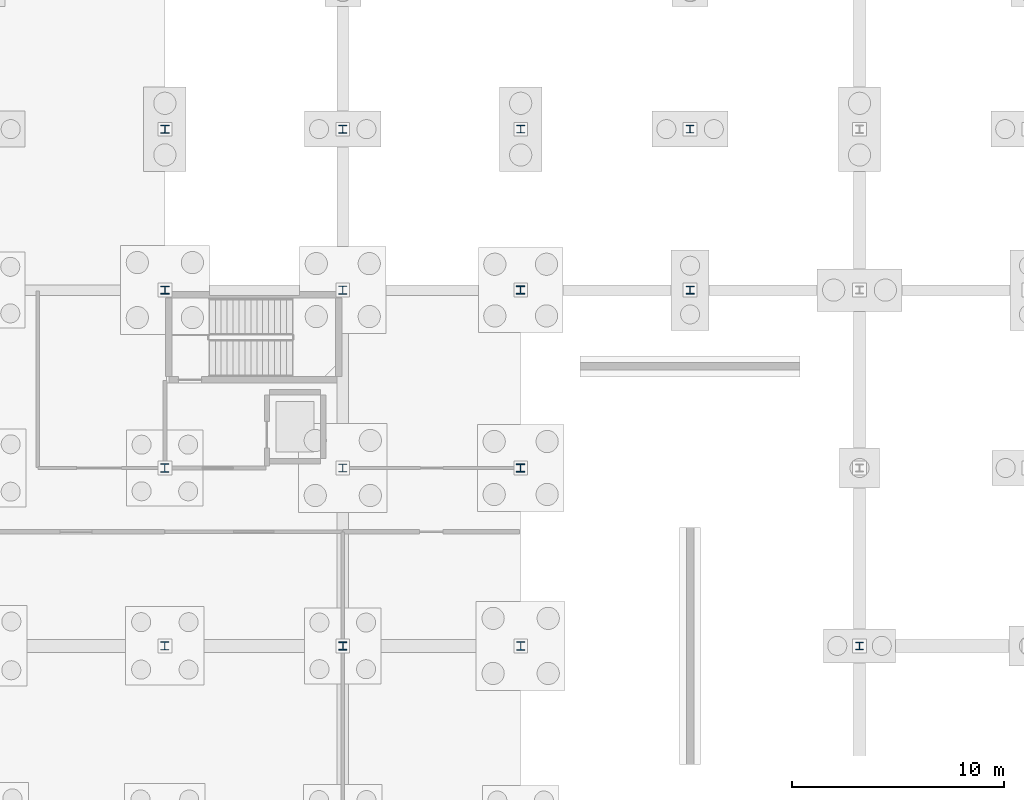
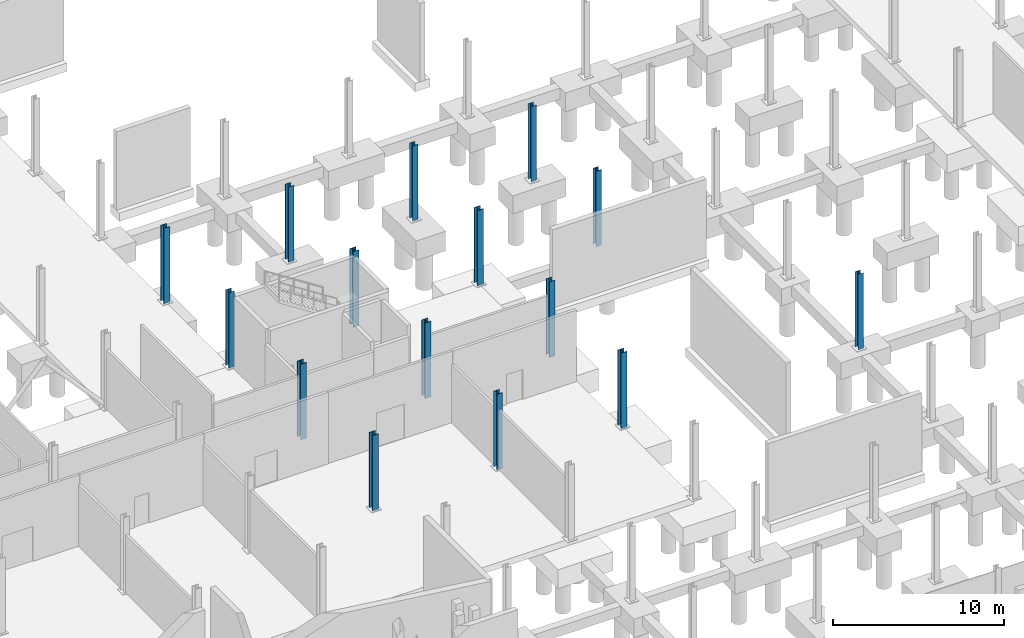
# One storey, part 20 of 61: 15 columns.
"""IFC4 building model written with IfcOpenShell, lengths in metres."""

from ifc_helpers import new_model, si_unit, direction, frame, origin, origin_2d, place, context, subcontext, project, spatial, i_section, extrude, material, material_profile, profile_set, type_object, element, save


model = new_model("IFC4")

# Units and contexts
model_context = context("Model", 3, precision=1e-05, world=origin(), true_north=direction((0.0, 1.0)))
body_context = subcontext(model_context, "Body", "Model", "MODEL_VIEW")
ifc_project = project(units=[si_unit("LENGTHUNIT", "METRE"), si_unit("AREAUNIT", "SQUARE_METRE"), si_unit("VOLUMEUNIT", "CUBIC_METRE"), si_unit("PLANEANGLEUNIT", "RADIAN"), si_unit("MASSUNIT", "GRAM", prefix="KILO")], contexts=[model_context])

# Site, building, storey
site_placement = place(None, origin())
site = spatial("IfcSite", under=ifc_project, at=site_placement, CompositionType="ELEMENT")
building_placement = place(site_placement, origin())
building = spatial("IfcBuilding", under=site, at=building_placement, Name="Calvrana Isthmian Art Gallery", CompositionType="ELEMENT")
storey_placement = place(building_placement, frame((0.0, 0.0, -5.39990234375)))
storey = spatial("IfcBuildingStorey", under=building, at=storey_placement, Name="B1", CompositionType="ELEMENT", Elevation=-5.39990234375)

# Columns
ifc_material = material(Name="Steel ASTM A992 Gr 50", Category="steel")
ifc_material_profile_1 = material_profile(ifc_material, i_section(OverallWidth=0.37109375, OverallDepth=0.363037109375, WebThickness=0.01318359375, FlangeThickness=0.021728515625, FilletRadius=0.02490234375, at=origin_2d()), Name="W14X109")
ifc_profile_set_1 = profile_set([ifc_material_profile_1], Name="Steel ASTM A992 Gr 50")
column_type_1 = type_object("IfcColumnType", Name="COL-STL-W14X109", PredefinedType="COLUMN", material=ifc_profile_set_1)
column_1_placement = place(storey_placement, frame((80.39990234375, 54.39990234375, 0.0), z_axis=(0.0, 0.0, 1.0), x_axis=(1.0, 0.0, 0.0)))
element("IfcColumn", 1, at=column_1_placement, inside=storey, type_object=column_type_1, Name="Column 11/H B1", PredefinedType="COLUMN", context=body_context, shape_type="SweptSolid", body=[
    extrude(i_section(OverallWidth=0.37109375, OverallDepth=0.363037109375, WebThickness=0.01318359375, FlangeThickness=0.021728515625, FilletRadius=0.02490234375, at=origin_2d()), origin(), (0.0, 0.0, 1.0), 5.39990234375),
])
ifc_material_profile_2 = material_profile(ifc_material, i_section(OverallWidth=0.373046875, OverallDepth=0.367919921875, WebThickness=0.014892578125, FlangeThickness=0.02392578125, FilletRadius=0.02490234375, at=origin_2d()), Name="W14X120")
ifc_profile_set_2 = profile_set([ifc_material_profile_2], Name="Steel ASTM A992 Gr 50")
column_type_2 = type_object("IfcColumnType", Name="COL-STL-W14X120", PredefinedType="COLUMN", material=ifc_profile_set_2)
column_2_placement = place(storey_placement, frame((72.0, 54.39990234375, 0.0), z_axis=(0.0, 0.0, 1.0), x_axis=(1.0, 0.0, 0.0)))
element("IfcColumn", 2, at=column_2_placement, inside=storey, type_object=column_type_2, Name="Column 10/H B1", PredefinedType="COLUMN", context=body_context, shape_type="SweptSolid", body=[
    extrude(i_section(OverallWidth=0.373046875, OverallDepth=0.367919921875, WebThickness=0.014892578125, FlangeThickness=0.02392578125, FilletRadius=0.02490234375, at=origin_2d()), origin(), (0.0, 0.0, 1.0), 5.39990234375),
])
ifc_material_profile_3 = material_profile(ifc_material, i_section(OverallWidth=0.373046875, OverallDepth=0.373046875, WebThickness=0.016357421875, FlangeThickness=0.026123046875, FilletRadius=0.02490234375, at=origin_2d()), Name="W14X132")
ifc_profile_set_3 = profile_set([ifc_material_profile_3], Name="Steel ASTM A992 Gr 50")
column_type_3 = type_object("IfcColumnType", Name="COL-STL-W14X132", PredefinedType="COLUMN", material=ifc_profile_set_3)
column_3_placement = place(storey_placement, frame((88.39990234375, 46.800048828125, 0.0), z_axis=(0.0, 0.0, 1.0), x_axis=(1.0, 0.0, 0.0)))
element("IfcColumn", 3, at=column_3_placement, inside=storey, type_object=column_type_3, Name="Column 12/G B1", PredefinedType="COLUMN", context=body_context, shape_type="SweptSolid", body=[
    extrude(i_section(OverallWidth=0.373046875, OverallDepth=0.373046875, WebThickness=0.016357421875, FlangeThickness=0.026123046875, FilletRadius=0.02490234375, at=origin_2d()), origin(), (0.0, 0.0, 1.0), 5.39990234375),
])
ifc_material_profile_4 = material_profile(ifc_material, i_section(OverallWidth=0.39892578125, OverallDepth=0.385986328125, WebThickness=0.02099609375, FlangeThickness=0.033203125, FilletRadius=0.02490234375, at=origin_2d()), Name="W14X176")
ifc_profile_set_4 = profile_set([ifc_material_profile_4], Name="Steel ASTM A992 Gr 50")
column_type_4 = type_object("IfcColumnType", Name="COL-STL-W14X176", PredefinedType="COLUMN", material=ifc_profile_set_4)
for number, where, z_axis, x_axis, name in (
    (4, (63.60009765625, 46.800048828125, 0.0), (0.0, 0.0, 1.0), (1.0, 0.0, 0.0), "Column 09/G B1"),
    (5, (63.60009765625, 54.39990234375, 0.0), (0.0, 0.0, 1.0), (1.0, 0.0, 0.0), "Column 09/H B1"),
    (6, (80.39990234375, 38.39990234375, 0.0), (0.0, 0.0, 1.0), (1.0, 0.0, 0.0), "Column 11/F B1"),
):
    element("IfcColumn", number, at=place(storey_placement, frame(where, z_axis=z_axis, x_axis=x_axis)), inside=storey, type_object=column_type_4, Name=name, PredefinedType="COLUMN", context=body_context, shape_type="SweptSolid", body=[
        extrude(i_section(OverallWidth=0.39892578125, OverallDepth=0.385986328125, WebThickness=0.02099609375, FlangeThickness=0.033203125, FilletRadius=0.02490234375, at=origin_2d()), origin(), (0.0, 0.0, 1.0), 5.39990234375),
    ])
ifc_material_profile_5 = material_profile(ifc_material, i_section(OverallWidth=0.39892578125, OverallDepth=0.39404296875, WebThickness=0.022705078125, FlangeThickness=0.03662109375, FilletRadius=0.02490234375, at=origin_2d()), Name="W14X193")
ifc_profile_set_5 = profile_set([ifc_material_profile_5], Name="Steel ASTM A992 Gr 50")
column_type_5 = type_object("IfcColumnType", Name="COL-STL-W14X193", PredefinedType="COLUMN", material=ifc_profile_set_5)
for number, where, z_axis, x_axis, name in (
    (7, (72.0, 30.0, 0.0), (0.0, 0.0, 1.0), (1.0, 0.0, 0.0), "Column 10/E B1"),
    (8, (80.39990234375, 46.800048828125, 0.0), (0.0, 0.0, 1.0), (1.0, 0.0, 0.0), "Column 11/G B1"),
):
    element("IfcColumn", number, at=place(storey_placement, frame(where, z_axis=z_axis, x_axis=x_axis)), inside=storey, type_object=column_type_5, Name=name, PredefinedType="COLUMN", context=body_context, shape_type="SweptSolid", body=[
        extrude(i_section(OverallWidth=0.39892578125, OverallDepth=0.39404296875, WebThickness=0.022705078125, FlangeThickness=0.03662109375, FilletRadius=0.02490234375, at=origin_2d()), origin(), (0.0, 0.0, 1.0), 5.39990234375),
    ])
ifc_material_profile_6 = material_profile(ifc_material, i_section(OverallWidth=0.40087890625, OverallDepth=0.39892578125, WebThickness=0.02490234375, FlangeThickness=0.03955078125, FilletRadius=0.02490234375, at=origin_2d()), Name="W14X211")
ifc_profile_set_6 = profile_set([ifc_material_profile_6], Name="Steel ASTM A992 Gr 50")
column_type_6 = type_object("IfcColumnType", Name="COL-STL-W14X211", PredefinedType="COLUMN", material=ifc_profile_set_6)
column_4_placement = place(storey_placement, frame((72.0, 38.39990234375, 0.0), z_axis=(0.0, 0.0, 1.0), x_axis=(1.0, 0.0, 0.0)))
element("IfcColumn", 9, at=column_4_placement, inside=storey, type_object=column_type_6, Name="Column 10/F B1", PredefinedType="COLUMN", context=body_context, shape_type="SweptSolid", body=[
    extrude(i_section(OverallWidth=0.40087890625, OverallDepth=0.39892578125, WebThickness=0.02490234375, FlangeThickness=0.03955078125, FilletRadius=0.02490234375, at=origin_2d()), origin(), (0.0, 0.0, 1.0), 5.39990234375),
])
ifc_material_profile_7 = material_profile(ifc_material, i_section(OverallWidth=0.404052734375, OverallDepth=0.406005859375, WebThickness=0.027099609375, FlangeThickness=0.043701171875, FilletRadius=0.02490234375, at=origin_2d()), Name="W14X233")
ifc_profile_set_7 = profile_set([ifc_material_profile_7], Name="Steel ASTM A992 Gr 50")
column_type_7 = type_object("IfcColumnType", Name="COL-STL-W14X233", PredefinedType="COLUMN", material=ifc_profile_set_7)
for number, where, z_axis, x_axis, name in (
    (10, (63.60009765625, 30.0, 0.0), (0.0, 0.0, 1.0), (1.0, 0.0, 0.0), "Column 09/E B1"),
    (11, (72.0, 46.800048828125, 0.0), (0.0, 0.0, 1.0), (1.0, 0.0, 0.0), "Column 10/G B1"),
):
    element("IfcColumn", number, at=place(storey_placement, frame(where, z_axis=z_axis, x_axis=x_axis)), inside=storey, type_object=column_type_7, Name=name, PredefinedType="COLUMN", context=body_context, shape_type="SweptSolid", body=[
        extrude(i_section(OverallWidth=0.404052734375, OverallDepth=0.406005859375, WebThickness=0.027099609375, FlangeThickness=0.043701171875, FilletRadius=0.02490234375, at=origin_2d()), origin(), (0.0, 0.0, 1.0), 5.39990234375),
    ])
ifc_material_profile_8 = material_profile(ifc_material, i_section(OverallWidth=0.406005859375, OverallDepth=0.4169921875, WebThickness=0.02978515625, FlangeThickness=0.048095703125, FilletRadius=0.02490234375, at=origin_2d()), Name="W14X257")
ifc_profile_set_8 = profile_set([ifc_material_profile_8], Name="Steel ASTM A992 Gr 50")
column_type_8 = type_object("IfcColumnType", Name="COL-STL-W14X257", PredefinedType="COLUMN", material=ifc_profile_set_8)
for number, where, z_axis, x_axis, name in (
    (12, (63.60009765625, 38.39990234375, 0.0), (0.0, 0.0, 1.0), (1.0, 0.0, 0.0), "Column 09/F B1"),
    (13, (80.39990234375, 30.0, 0.0), (0.0, 0.0, 1.0), (1.0, 0.0, 0.0), "Column 11/E B1"),
):
    element("IfcColumn", number, at=place(storey_placement, frame(where, z_axis=z_axis, x_axis=x_axis)), inside=storey, type_object=column_type_8, Name=name, PredefinedType="COLUMN", context=body_context, shape_type="SweptSolid", body=[
        extrude(i_section(OverallWidth=0.406005859375, OverallDepth=0.4169921875, WebThickness=0.02978515625, FlangeThickness=0.048095703125, FilletRadius=0.02490234375, at=origin_2d()), origin(), (0.0, 0.0, 1.0), 5.39990234375),
    ])
ifc_material_profile_9 = material_profile(ifc_material, i_section(OverallWidth=0.367919921875, OverallDepth=0.35595703125, WebThickness=0.01123046875, FlangeThickness=0.01806640625, FilletRadius=0.02490234375, at=origin_2d()), Name="W14X90")
ifc_profile_set_9 = profile_set([ifc_material_profile_9], Name="Steel ASTM A992 Gr 50")
column_type_9 = type_object("IfcColumnType", Name="COL-STL-W14X90", PredefinedType="COLUMN", material=ifc_profile_set_9)
for number, where, z_axis, x_axis, name in (
    (14, (88.39990234375, 54.39990234375, 0.0), (0.0, 0.0, 1.0), (1.0, 0.0, 0.0), "Column 12/H B1"),
    (15, (96.39990234375, 30.0, 0.0), (0.0, 0.0, 1.0), (1.0, 0.0, 0.0), "Column 13/E B1"),
):
    element("IfcColumn", number, at=place(storey_placement, frame(where, z_axis=z_axis, x_axis=x_axis)), inside=storey, type_object=column_type_9, Name=name, PredefinedType="COLUMN", context=body_context, shape_type="SweptSolid", body=[
        extrude(i_section(OverallWidth=0.367919921875, OverallDepth=0.35595703125, WebThickness=0.01123046875, FlangeThickness=0.01806640625, FilletRadius=0.02490234375, at=origin_2d()), origin(), (0.0, 0.0, 1.0), 5.39990234375),
    ])

save(model, "model.ifc")
